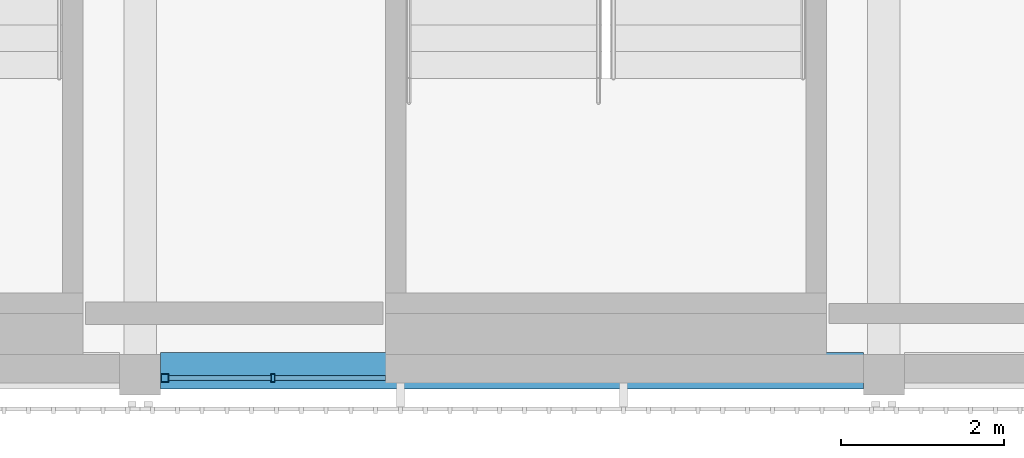
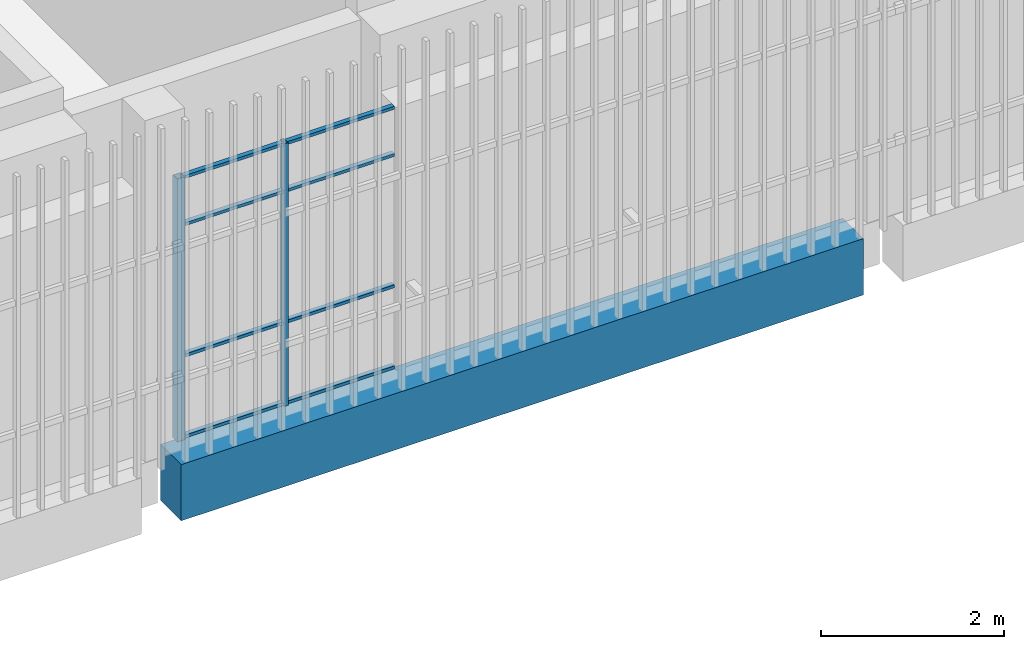
# One storey, part 50 of 124: 10 members, 1 beam, 1 element without a shape of its own.
"""IFC4 building model written with IfcOpenShell, lengths in metres."""

from ifc_helpers import new_model, si_unit, direction, frame, origin, origin_2d, place, context, subcontext, project, spatial, rectangle, hollow_rectangle, extrude, material, layer, layer_set, material_profile, profile_set, type_object, element, aggregate, save


model = new_model("IFC4")

# Units and contexts
model_context = context("Model", 3, precision=1e-05, world=origin(), true_north=direction((0.0, 1.0)))
body_context = subcontext(model_context, "Body", "Model", "MODEL_VIEW")
ifc_project = project(units=[si_unit("LENGTHUNIT", "METRE"), si_unit("AREAUNIT", "SQUARE_METRE"), si_unit("VOLUMEUNIT", "CUBIC_METRE"), si_unit("PLANEANGLEUNIT", "RADIAN"), si_unit("MASSUNIT", "GRAM", prefix="KILO")], contexts=[model_context])

# Site, building, storey
site_placement = place(None, origin())
site = spatial("IfcSite", under=ifc_project, at=site_placement, CompositionType="ELEMENT")
building_placement = place(site_placement, origin())
building = spatial("IfcBuilding", under=site, at=building_placement, Name="Shirokan Park Arena", CompositionType="ELEMENT")
storey_placement = place(building_placement, frame((0.0, 0.0, 20.02001953125)))
storey = spatial("IfcBuildingStorey", under=building, at=storey_placement, Name="L04", CompositionType="ELEMENT", Elevation=20.02001953125)

# Curtain wall, members
ifc_material_1 = material(Name="Steel and glass curtain wall", Category="steel")
ifc_layer = layer(ifc_material_1, 0.1201171875)
ifc_layer_set = layer_set([ifc_layer], Name="Steel and glass curtain wall 120 mm")
curtain_wall_type = type_object("IfcCurtainWallType", Name="Curtain wall corner block side bay 120", PredefinedType="NOTDEFINED", material=ifc_layer_set)
curtain_wall_placement = place(storey_placement, origin())
curtain_wall = element("IfcCurtainWall", 1, at=curtain_wall_placement, inside=storey, type_object=curtain_wall_type, Name="Curtain wall south bay 15 L04", PredefinedType="NOTDEFINED")
ifc_material_2 = material(Name="Steel S355", Category="steel")
ifc_material_profile_1 = material_profile(ifc_material_2, hollow_rectangle(XDim=0.10009765625, YDim=0.10009765625, WallThickness=0.006103515625, at=origin_2d()), Name="RHS 100x100x6")
ifc_profile_set_1 = profile_set([ifc_material_profile_1], Name="Steel S355")
member_type_1 = type_object("IfcMemberType", Name="Mullion RHS 100x100x6", PredefinedType="MULLION", material=ifc_profile_set_1)
member_1_placement = place(storey_placement, frame((127.699951171875, -0.090087890625, 0.0), z_axis=(0.0, 0.0, 1.0), x_axis=(0.0, 1.0, 0.0)))
member_1 = element("IfcMember", 2, at=member_1_placement, type_object=member_type_1, Name="CW3 mullion 1", PredefinedType="MULLION", context=body_context, shape_type="SweptSolid", body=[
    extrude(hollow_rectangle(XDim=0.10009765625, YDim=0.10009765625, WallThickness=0.006103515625, at=origin_2d()), origin(), (0.0, 0.0, 1.0), 3.5),
])
ifc_material_profile_2 = material_profile(ifc_material_2, hollow_rectangle(XDim=0.10009765625, YDim=0.050048828125, WallThickness=0.0048828125, at=origin_2d()), Name="RHS 100x50x5")
ifc_profile_set_2 = profile_set([ifc_material_profile_2], Name="Steel S355")
member_type_2 = type_object("IfcMemberType", Name="Mullion RHS 100x50x5", PredefinedType="MULLION", material=ifc_profile_set_2)
member_2_placement = place(storey_placement, frame((129.02490234375, -0.090087890625, 0.0), z_axis=(0.0, 0.0, 1.0), x_axis=(0.0, 1.0, 0.0)))
member_2 = element("IfcMember", 3, at=member_2_placement, type_object=member_type_2, Name="CW3 mullion 2", PredefinedType="MULLION", context=body_context, shape_type="SweptSolid", body=[
    extrude(hollow_rectangle(XDim=0.10009765625, YDim=0.050048828125, WallThickness=0.0048828125, at=origin_2d()), origin(), (0.0, 0.0, 1.0), 3.5),
])

# Beam
ifc_material_3 = material(Name="Concrete C35", Category="concrete")
ifc_material_profile_3 = material_profile(ifc_material_3, rectangle(XDim=0.449951171875, YDim=0.75, at=origin_2d()), Name="450x750")
ifc_profile_set_3 = profile_set([ifc_material_profile_3], Name="Concrete C35")
beam_type = type_object("IfcBeamType", Name="RC girder 450x750", PredefinedType="BEAM", material=ifc_profile_set_3)
beam_placement = place(storey_placement, frame((127.650146484375, 0.0, -0.625), z_axis=(1.0, 0.0, 0.0), x_axis=(0.0, 1.0, 0.0)))
element("IfcBeam", 4, at=beam_placement, inside=storey, type_object=beam_type, Name="Girder 15A-16A L04", PredefinedType="BEAM", context=body_context, shape_type="SweptSolid", body=[
    extrude(rectangle(XDim=0.449951171875, YDim=0.75, at=origin_2d()), origin(), (0.0, 0.0, 1.0), 8.599853515625),
])

# Member
ifc_material_profile_4 = material_profile(ifc_material_2, hollow_rectangle(XDim=0.06005859375, YDim=0.0400390625, WallThickness=0.00390625, at=origin_2d()), Name="RHS 60x40x4")
ifc_profile_set_4 = profile_set([ifc_material_profile_4], Name="Steel S355")
member_type_3 = type_object("IfcMemberType", Name="Transom RHS 60x40x4", PredefinedType="MULLION", material=ifc_profile_set_4)
member_3_placement = place(storey_placement, frame((127.75, -0.090087890625, 0.02001953125), z_axis=(1.0, 0.0, 0.0), x_axis=(0.0, 1.0, 0.0)))
member_3 = element("IfcMember", 5, at=member_3_placement, type_object=member_type_3, Name="CW3 transom 1.1", PredefinedType="MULLION", context=body_context, shape_type="SweptSolid", body=[
    extrude(hollow_rectangle(XDim=0.06005859375, YDim=0.0400390625, WallThickness=0.00390625, at=origin_2d()), origin(), (0.0, 0.0, 1.0), 1.25),
])

member_4_placement = place(storey_placement, frame((127.75, -0.090087890625, 1.10009765625), z_axis=(1.0, 0.0, 0.0), x_axis=(0.0, 1.0, 0.0)))
member_4 = element("IfcMember", 6, at=member_4_placement, type_object=member_type_3, Name="CW3 transom 1.2", PredefinedType="MULLION", context=body_context, shape_type="SweptSolid", body=[
    extrude(hollow_rectangle(XDim=0.06005859375, YDim=0.0400390625, WallThickness=0.00390625, at=origin_2d()), origin(), (0.0, 0.0, 1.0), 1.25),
])

member_5_placement = place(storey_placement, frame((127.75, -0.090087890625, 2.85009765625), z_axis=(1.0, 0.0, 0.0), x_axis=(0.0, 1.0, 0.0)))
member_5 = element("IfcMember", 7, at=member_5_placement, type_object=member_type_3, Name="CW3 transom 1.3", PredefinedType="MULLION", context=body_context, shape_type="SweptSolid", body=[
    extrude(hollow_rectangle(XDim=0.06005859375, YDim=0.0400390625, WallThickness=0.00390625, at=origin_2d()), origin(), (0.0, 0.0, 1.0), 1.25),
])

member_6_placement = place(storey_placement, frame((127.75, -0.090087890625, 3.47998046875), z_axis=(1.0, 0.0, 0.0), x_axis=(0.0, 1.0, 0.0)))
member_6 = element("IfcMember", 8, at=member_6_placement, type_object=member_type_3, Name="CW3 transom 1.4", PredefinedType="MULLION", context=body_context, shape_type="SweptSolid", body=[
    extrude(hollow_rectangle(XDim=0.06005859375, YDim=0.0400390625, WallThickness=0.00390625, at=origin_2d()), origin(), (0.0, 0.0, 1.0), 1.25),
])

member_7_placement = place(storey_placement, frame((129.050048828125, -0.090087890625, 0.02001953125), z_axis=(1.0, 0.0, 0.0), x_axis=(0.0, 1.0, 0.0)))
member_7 = element("IfcMember", 9, at=member_7_placement, type_object=member_type_3, Name="CW3 transom 2.1", PredefinedType="MULLION", context=body_context, shape_type="SweptSolid", body=[
    extrude(hollow_rectangle(XDim=0.06005859375, YDim=0.0400390625, WallThickness=0.00390625, at=origin_2d()), origin(), (0.0, 0.0, 1.0), 1.349853515625),
])

member_8_placement = place(storey_placement, frame((129.050048828125, -0.090087890625, 1.10009765625), z_axis=(1.0, 0.0, 0.0), x_axis=(0.0, 1.0, 0.0)))
member_8 = element("IfcMember", 10, at=member_8_placement, type_object=member_type_3, Name="CW3 transom 2.2", PredefinedType="MULLION", context=body_context, shape_type="SweptSolid", body=[
    extrude(hollow_rectangle(XDim=0.06005859375, YDim=0.0400390625, WallThickness=0.00390625, at=origin_2d()), origin(), (0.0, 0.0, 1.0), 1.349853515625),
])

member_9_placement = place(storey_placement, frame((129.050048828125, -0.090087890625, 2.85009765625), z_axis=(1.0, 0.0, 0.0), x_axis=(0.0, 1.0, 0.0)))
member_9 = element("IfcMember", 11, at=member_9_placement, type_object=member_type_3, Name="CW3 transom 2.3", PredefinedType="MULLION", context=body_context, shape_type="SweptSolid", body=[
    extrude(hollow_rectangle(XDim=0.06005859375, YDim=0.0400390625, WallThickness=0.00390625, at=origin_2d()), origin(), (0.0, 0.0, 1.0), 1.349853515625),
])

member_10_placement = place(storey_placement, frame((129.050048828125, -0.090087890625, 3.47998046875), z_axis=(1.0, 0.0, 0.0), x_axis=(0.0, 1.0, 0.0)))
member_10 = element("IfcMember", 12, at=member_10_placement, type_object=member_type_3, Name="CW3 transom 2.4", PredefinedType="MULLION", context=body_context, shape_type="SweptSolid", body=[
    extrude(hollow_rectangle(XDim=0.06005859375, YDim=0.0400390625, WallThickness=0.00390625, at=origin_2d()), origin(), (0.0, 0.0, 1.0), 1.349853515625),
])

aggregate(curtain_wall, [member_1, member_2, member_3, member_4, member_5, member_6, member_7, member_8, member_9, member_10])

save(model, "model.ifc")
